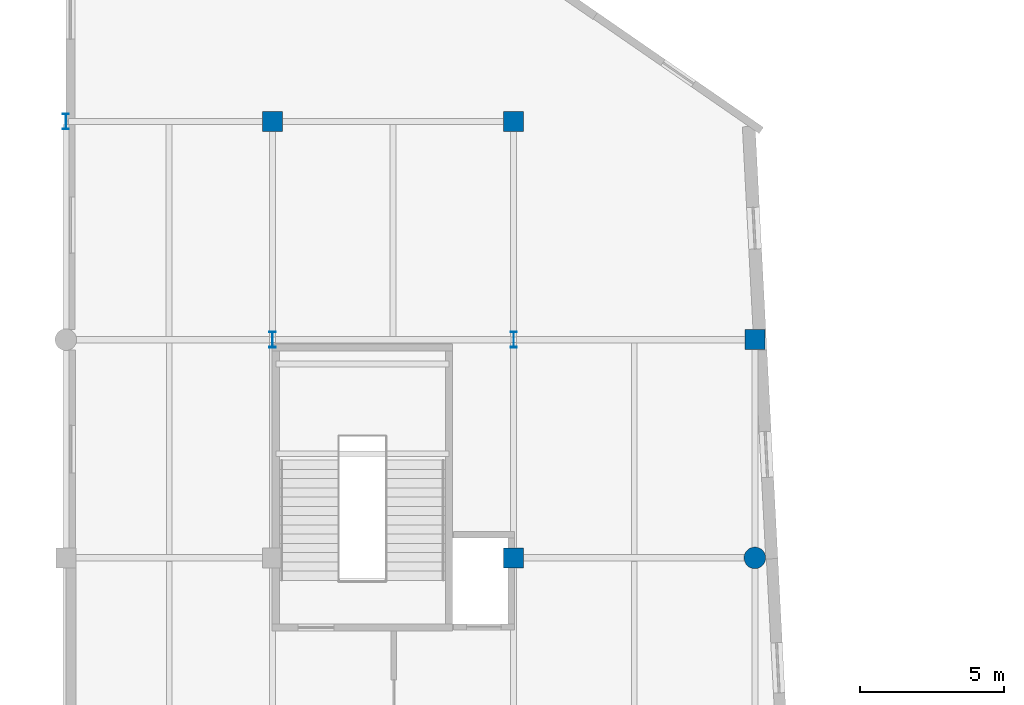
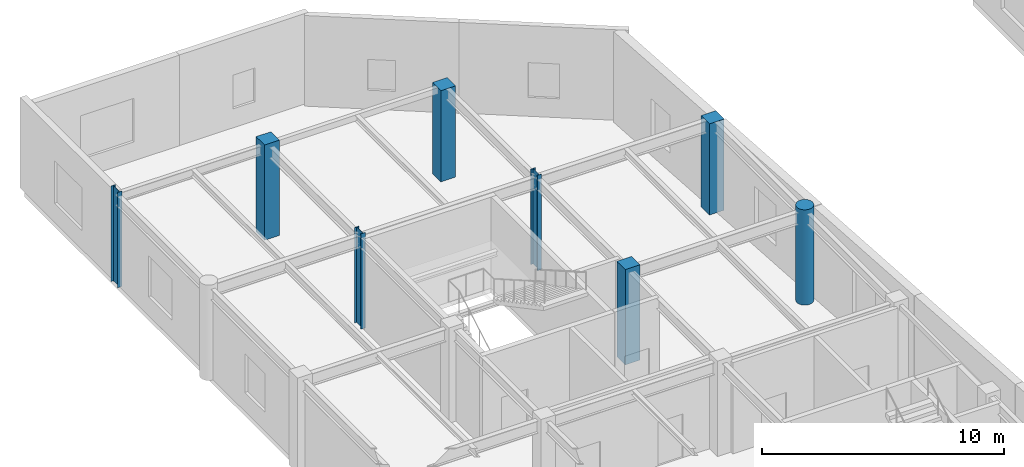
# One storey, part 5 of 72: 8 columns.
"""IFC4 building model written with IfcOpenShell, lengths in metres."""

from ifc_helpers import new_model, si_unit, direction, frame, origin, origin_2d, place, context, subcontext, project, spatial, rectangle, circle, i_section, extrude, material, material_profile, profile_set, type_object, element, save


model = new_model("IFC4")

# Units and contexts
model_context = context("Model", 3, precision=1e-05, world=origin(), true_north=direction((0.0, 1.0)))
body_context = subcontext(model_context, "Body", "Model", "MODEL_VIEW")
ifc_project = project(units=[si_unit("LENGTHUNIT", "METRE"), si_unit("AREAUNIT", "SQUARE_METRE"), si_unit("VOLUMEUNIT", "CUBIC_METRE"), si_unit("PLANEANGLEUNIT", "RADIAN"), si_unit("MASSUNIT", "GRAM", prefix="KILO")], contexts=[model_context])

# Site, building, storey
site_placement = place(None, origin())
site = spatial("IfcSite", under=ifc_project, at=site_placement, CompositionType="ELEMENT")
building_placement = place(site_placement, origin())
building = spatial("IfcBuilding", under=site, at=building_placement, Name="Xicomal Pleat Aquarium", CompositionType="ELEMENT")
storey_placement = place(building_placement, frame((0.0, 0.0, 10.5)))
storey = spatial("IfcBuildingStorey", under=building, at=storey_placement, Name="L03", CompositionType="ELEMENT", Elevation=10.5)

# Columns
ifc_material_1 = material(Name="Concrete C40/50", Category="concrete")
ifc_material_profile_1 = material_profile(ifc_material_1, rectangle(XDim=0.699951171875, YDim=0.699951171875, at=origin_2d()), Name="RC 700x700")
ifc_profile_set_1 = profile_set([ifc_material_profile_1], Name="Concrete C40/50")
column_type_1 = type_object("IfcColumnType", Name="COL-RC-700x700", PredefinedType="COLUMN", material=ifc_profile_set_1)
for number, where, z_axis, x_axis, name in (
    (1, (10.199951171875, 83.60009765625, 0.0), (0.0, 0.0, 1.0), (1.0, 0.0, 0.0), "L03 column 02/M"),
    (2, (18.60009765625, 68.39990234375, 0.0), (0.0, 0.0, 1.0), (1.0, 0.0, 0.0), "L03 column 03/K"),
):
    element("IfcColumn", number, at=place(storey_placement, frame(where, z_axis=z_axis, x_axis=x_axis)), inside=storey, type_object=column_type_1, Name=name, PredefinedType="COLUMN", context=body_context, shape_type="SweptSolid", body=[
        extrude(rectangle(XDim=0.699951171875, YDim=0.699951171875, at=origin_2d()), origin(), (0.0, 0.0, 1.0), 4.800048828125),
    ])
for number, where, z_axis, x_axis, name in (
    (3, (18.60009765625, 83.60009765625, 0.0), (0.0, 0.0, 1.0), (1.0, 0.0, 0.0), "L03 column 03/M"),
    (4, (27.0, 76.0, 0.0), (0.0, 0.0, 1.0), (1.0, 0.0, 0.0), "L03 column 04/L"),
):
    element("IfcColumn", number, at=place(storey_placement, frame(where, z_axis=z_axis, x_axis=x_axis)), inside=storey, type_object=column_type_1, Name=name, PredefinedType="COLUMN", context=body_context, shape_type="SweptSolid", body=[
        extrude(rectangle(XDim=0.699951171875, YDim=0.699951171875, at=origin_2d()), origin(), (0.0, 0.0, 1.0), 4.590087890625),
    ])
ifc_material_2 = material(Name="Concrete C40/50", Category="concrete")
ifc_material_profile_2 = material_profile(ifc_material_2, circle(Radius=0.375, at=origin_2d()), Name="RCC D750")
ifc_profile_set_2 = profile_set([ifc_material_profile_2], Name="Concrete C40/50")
column_type_2 = type_object("IfcColumnType", Name="COL-RCC-D750", PredefinedType="COLUMN", material=ifc_profile_set_2)
column_placement = place(storey_placement, frame((27.0, 68.39990234375, 0.0), z_axis=(0.0, 0.0, 1.0), x_axis=(1.0, 0.0, 0.0)))
element("IfcColumn", 5, at=column_placement, inside=storey, type_object=column_type_2, Name="L03 column 04/K", PredefinedType="COLUMN", context=body_context, shape_type="SweptSolid", body=[
    extrude(circle(Radius=0.375, at=origin_2d()), origin(), (0.0, 0.0, 1.0), 4.800048828125),
])
ifc_material_3 = material(Name="Structural steel A992 Gr 50", Category="steel")
ifc_material_profile_3 = material_profile(ifc_material_3, i_section(OverallWidth=0.2119140625, OverallDepth=0.5439453125, WebThickness=0.01318359375, FlangeThickness=0.021240234375, at=origin_2d()), Name="IR 530x123")
ifc_profile_set_3 = profile_set([ifc_material_profile_3], Name="Structural steel A992 Gr 50")
column_type_3 = type_object("IfcColumnType", Name="COL-STL-IR530", PredefinedType="COLUMN", material=ifc_profile_set_3)
for number, where, z_axis, x_axis, name in (
    (6, (3.0, 83.60009765625, 0.0), (0.0, 0.0, 1.0), (1.0, 0.0, 0.0), "L03 column 01/M"),
    (7, (10.199951171875, 76.0, 0.0), (0.0, 0.0, 1.0), (1.0, 0.0, 0.0), "L03 column 02/L"),
    (8, (18.60009765625, 76.0, 0.0), (0.0, 0.0, 1.0), (1.0, 0.0, 0.0), "L03 column 03/L"),
):
    element("IfcColumn", number, at=place(storey_placement, frame(where, z_axis=z_axis, x_axis=x_axis)), inside=storey, type_object=column_type_3, Name=name, PredefinedType="COLUMN", context=body_context, shape_type="SweptSolid", body=[
        extrude(i_section(OverallWidth=0.2119140625, OverallDepth=0.5439453125, WebThickness=0.01318359375, FlangeThickness=0.021240234375, at=origin_2d()), origin(), (0.0, 0.0, 1.0), 4.800048828125),
    ])

save(model, "model.ifc")
